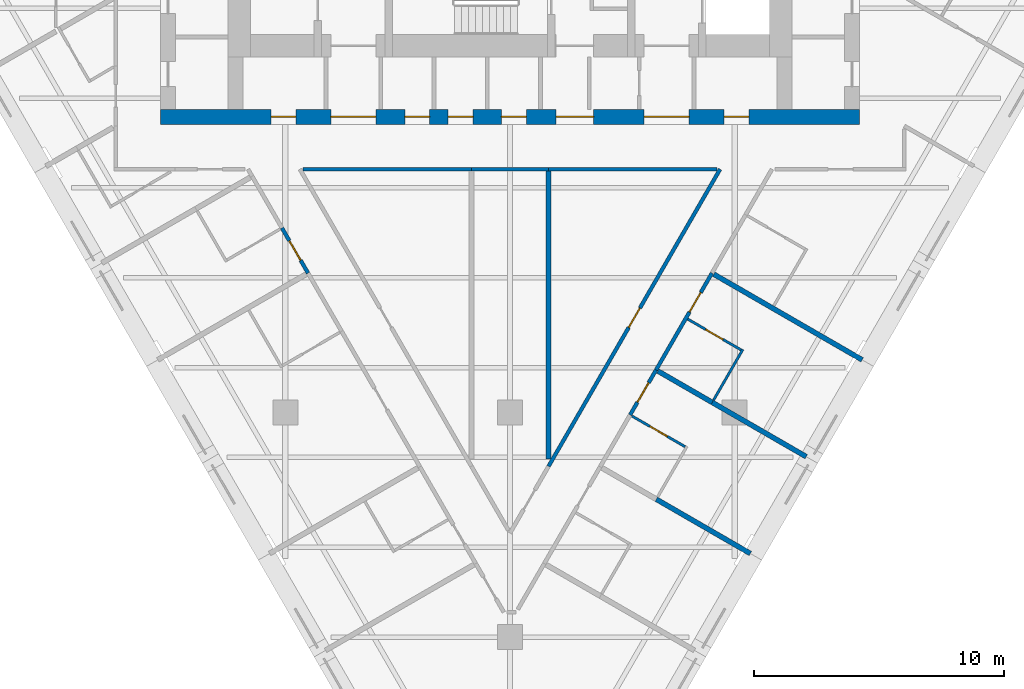
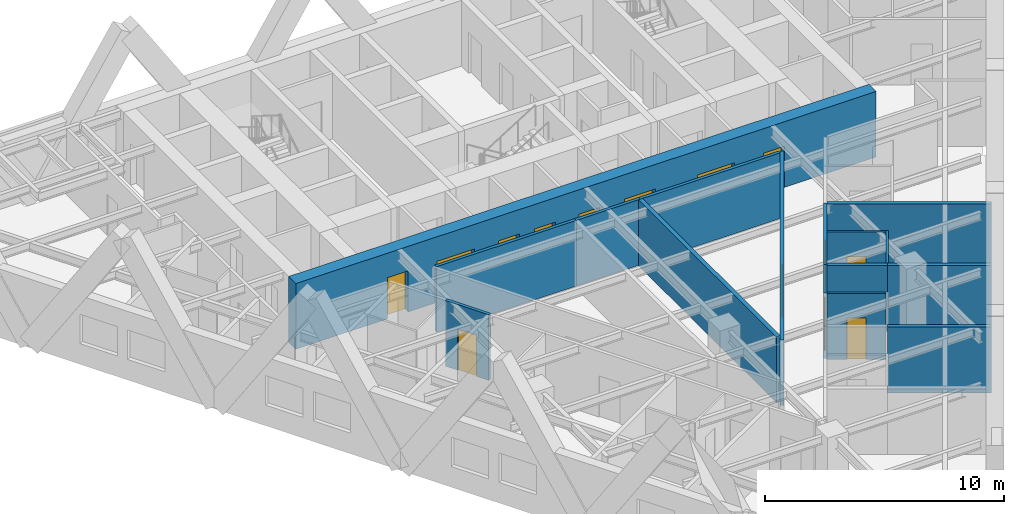
# One storey, part 4 of 9: 16 walls, 14 doors, 14 openings.
"""IFC4 building model written with IfcOpenShell, lengths in metres."""

from ifc_helpers import new_model, si_unit, direction, frame, frame_2d, origin, place, context, subcontext, project, spatial, rectangle, extrude, material, layer, layer_set, type_object, element, fill, save


model = new_model("IFC4")

# Units and contexts
model_context = context("Model", 3, precision=1e-05, world=origin(), true_north=direction((0.0, 1.0)))
body_context = subcontext(model_context, "Body", "Model", "MODEL_VIEW")
ifc_project = project(units=[si_unit("LENGTHUNIT", "METRE"), si_unit("AREAUNIT", "SQUARE_METRE"), si_unit("VOLUMEUNIT", "CUBIC_METRE"), si_unit("PLANEANGLEUNIT", "RADIAN"), si_unit("MASSUNIT", "GRAM", prefix="KILO")], contexts=[model_context])

# Site, building, storey
site_placement = place(None, origin())
site = spatial("IfcSite", under=ifc_project, at=site_placement, CompositionType="ELEMENT")
building_placement = place(site_placement, origin())
building = spatial("IfcBuilding", under=site, at=building_placement, Name="Aloe Facet Convention Tower", CompositionType="ELEMENT")
storey_placement = place(building_placement, frame((0.0, 0.0, 42.0)))
storey = spatial("IfcBuildingStorey", under=building, at=storey_placement, Name="L08", CompositionType="ELEMENT", Elevation=42.0)

# Wall, openings, doors
ifc_material_1 = material(Name="Concrete C80/95", Category="concrete")
ifc_layer_1 = layer(ifc_material_1, 0.60009765625)
ifc_layer_set_1 = layer_set([ifc_layer_1], Name="CR-W-RC600-C8095")
wall_type_1 = type_object("IfcWallType", Name="CR-W-RC600-C8095", PredefinedType="SOLIDWALL", material=ifc_layer_set_1)
wall_1_placement = place(storey_placement, frame((66.0, 119.85009765625, 0.0), z_axis=(0.0, 0.0, 1.0), x_axis=(1.0, 0.0, 0.0)))
wall_1 = element("IfcWall", 1, at=wall_1_placement, inside=storey, type_object=wall_type_1, Name="Core wall L08-003", PredefinedType="SOLIDWALL", context=body_context, shape_type="SweptSolid", body=[
    extrude(rectangle(XDim=28.0, YDim=0.60009765625, at=frame_2d((14.0, 0.0))), origin(), (0.0, 0.0, 1.0), 3.35009765625),
])
opening_1_placement = place(wall_1_placement, frame((6.824951171875, 0.0, 0.0)))
opening_1 = element("IfcOpeningElement", 2, at=opening_1_placement, cuts=wall_1, Name="Opening L08-CD16", PredefinedType="OPENING", context=body_context, shape_type="SweptSolid", body=[
    extrude(rectangle(XDim=1.800048828125, YDim=2.10009765625, at=frame_2d((0.89990234375, 1.050048828125))), frame((0.0, 0.31005859375, 0.0), z_axis=(0.0, -1.0, 0.0), x_axis=(1.0, 0.0, 0.0)), (0.0, 0.0, 1.0), 0.6201171875),
])
opening_2_placement = place(wall_1_placement, frame((15.85009765625, 0.0, 0.0)))
opening_2 = element("IfcOpeningElement", 3, at=opening_2_placement, cuts=wall_1, Name="Opening L08-CD17", PredefinedType="OPENING", context=body_context, shape_type="SweptSolid", body=[
    extrude(rectangle(XDim=1.5, YDim=2.10009765625, at=frame_2d((0.75, 1.050048828125))), frame((0.0, 0.31005859375, 0.0), z_axis=(0.0, -1.0, 0.0), x_axis=(1.0, 0.0, 0.0)), (0.0, 0.0, 1.0), 0.6201171875),
])
opening_3_placement = place(wall_1_placement, frame((19.375, 0.0, 0.0)))
opening_3 = element("IfcOpeningElement", 4, at=opening_3_placement, cuts=wall_1, Name="Opening L08-CD18", PredefinedType="OPENING", context=body_context, shape_type="SweptSolid", body=[
    extrude(rectangle(XDim=1.800048828125, YDim=2.10009765625, at=frame_2d((0.89990234375, 1.050048828125))), frame((0.0, 0.31005859375, 0.0), z_axis=(0.0, -1.0, 0.0), x_axis=(1.0, 0.0, 0.0)), (0.0, 0.0, 1.0), 0.6201171875),
])
opening_4_placement = place(wall_1_placement, frame((4.425048828125, 0.0, 0.0)))
opening_4 = element("IfcOpeningElement", 5, at=opening_4_placement, cuts=wall_1, Name="Opening L08-CD23", PredefinedType="OPENING", context=body_context, shape_type="SweptSolid", body=[
    extrude(rectangle(XDim=1.0, YDim=2.10009765625, at=frame_2d((0.5, 1.050048828125))), frame((0.0, 0.31005859375, 0.0), z_axis=(0.0, -1.0, 0.0), x_axis=(1.0, 0.0, 0.0)), (0.0, 0.0, 1.0), 0.6201171875),
])
opening_5_placement = place(wall_1_placement, frame((9.783203125, 0.0, 0.0)))
opening_5 = element("IfcOpeningElement", 6, at=opening_5_placement, cuts=wall_1, Name="Opening L08-CD24", PredefinedType="OPENING", context=body_context, shape_type="SweptSolid", body=[
    extrude(rectangle(XDim=1.0, YDim=2.10009765625, at=frame_2d((0.5, 1.050048828125))), frame((0.0, 0.31005859375, 0.0), z_axis=(0.0, -1.0, 0.0), x_axis=(1.0, 0.0, 0.0)), (0.0, 0.0, 1.0), 0.6201171875),
])
opening_6_placement = place(wall_1_placement, frame((11.52490234375, 0.0, 0.0)))
opening_6 = element("IfcOpeningElement", 7, at=opening_6_placement, cuts=wall_1, Name="Opening L08-CD25", PredefinedType="OPENING", context=body_context, shape_type="SweptSolid", body=[
    extrude(rectangle(XDim=1.0, YDim=2.10009765625, at=frame_2d((0.5, 1.050048828125))), frame((0.0, 0.31005859375, 0.0), z_axis=(0.0, -1.0, 0.0), x_axis=(1.0, 0.0, 0.0)), (0.0, 0.0, 1.0), 0.6201171875),
])
opening_7_placement = place(wall_1_placement, frame((13.658203125, 0.0, 0.0)))
opening_7 = element("IfcOpeningElement", 8, at=opening_7_placement, cuts=wall_1, Name="Opening L08-CD26", PredefinedType="OPENING", context=body_context, shape_type="SweptSolid", body=[
    extrude(rectangle(XDim=1.0, YDim=2.10009765625, at=frame_2d((0.5, 1.050048828125))), frame((0.0, 0.31005859375, 0.0), z_axis=(0.0, -1.0, 0.0), x_axis=(1.0, 0.0, 0.0)), (0.0, 0.0, 1.0), 0.6201171875),
])
opening_8_placement = place(wall_1_placement, frame((22.574951171875, 0.0, 0.0)))
opening_8 = element("IfcOpeningElement", 9, at=opening_8_placement, cuts=wall_1, Name="Opening L08-CD28", PredefinedType="OPENING", context=body_context, shape_type="SweptSolid", body=[
    extrude(rectangle(XDim=1.0, YDim=2.10009765625, at=frame_2d((0.5, 1.050048828125))), frame((0.0, 0.31005859375, 0.0), z_axis=(0.0, -1.0, 0.0), x_axis=(1.0, 0.0, 0.0)), (0.0, 0.0, 1.0), 0.6201171875),
])
ifc_material_2 = material(Name="Steel fire-resisting door set FD60", Category="steel")
door_type_1 = type_object("IfcDoorType", Name="CR-D-EXIT-1500-FD60-DD", OperationType="DOUBLE_DOOR_DOUBLE_SWING", PredefinedType="DOOR", material=ifc_material_2)
door_1_placement = place(opening_2_placement, origin())
door_1 = element("IfcDoor", 10, at=door_1_placement, inside=storey, type_object=door_type_1, Name="Core door L08-CD17", OperationType="DOUBLE_DOOR_DOUBLE_SWING", OverallHeight=2.10009765625, OverallWidth=1.5, PredefinedType="DOOR", context=body_context, shape_type="SweptSolid", body=[
    extrude(rectangle(XDim=1.5, YDim=2.10009765625, at=frame_2d((0.75, 1.050048828125))), frame((0.0, 0.02490234375, 0.0), z_axis=(0.0, -1.0, 0.0), x_axis=(1.0, 0.0, 0.0)), (0.0, 0.0, 1.0), 0.050048828125),
])
fill(opening_2, door_1)
ifc_material_3 = material(Name="Steel fire-resisting door set FD60", Category="steel")
door_type_2 = type_object("IfcDoorType", Name="CR-D-EXIT-1800-FD60-DD", OperationType="DOUBLE_DOOR_DOUBLE_SWING", PredefinedType="DOOR", material=ifc_material_3)
door_2_placement = place(opening_1_placement, origin())
door_2 = element("IfcDoor", 11, at=door_2_placement, inside=storey, type_object=door_type_2, Name="Core door L08-CD16", OperationType="DOUBLE_DOOR_DOUBLE_SWING", OverallHeight=2.10009765625, OverallWidth=1.800048828125, PredefinedType="DOOR", context=body_context, shape_type="SweptSolid", body=[
    extrude(rectangle(XDim=1.800048828125, YDim=2.10009765625, at=frame_2d((0.89990234375, 1.050048828125))), frame((0.0, 0.02490234375, 0.0), z_axis=(0.0, -1.0, 0.0), x_axis=(1.0, 0.0, 0.0)), (0.0, 0.0, 1.0), 0.050048828125),
])
fill(opening_1, door_2)
door_3_placement = place(opening_3_placement, origin())
door_3 = element("IfcDoor", 12, at=door_3_placement, inside=storey, type_object=door_type_2, Name="Core door L08-CD18", OperationType="DOUBLE_DOOR_DOUBLE_SWING", OverallHeight=2.10009765625, OverallWidth=1.800048828125, PredefinedType="DOOR", context=body_context, shape_type="SweptSolid", body=[
    extrude(rectangle(XDim=1.800048828125, YDim=2.10009765625, at=frame_2d((0.89990234375, 1.050048828125))), frame((0.0, 0.02490234375, 0.0), z_axis=(0.0, -1.0, 0.0), x_axis=(1.0, 0.0, 0.0)), (0.0, 0.0, 1.0), 0.050048828125),
])
fill(opening_3, door_3)
ifc_material_4 = material(Name="Steel fire-resisting door set FD60", Category="steel")
door_type_3 = type_object("IfcDoorType", Name="CR-D-ROOM-1000-FD60-SRIGHT", OperationType="SINGLE_SWING_RIGHT", PredefinedType="DOOR", material=ifc_material_4)
door_4_placement = place(opening_4_placement, origin())
door_4 = element("IfcDoor", 13, at=door_4_placement, inside=storey, type_object=door_type_3, Name="Core door L08-CD23", OperationType="SINGLE_SWING_RIGHT", OverallHeight=2.10009765625, OverallWidth=1.0, PredefinedType="DOOR", context=body_context, shape_type="SweptSolid", body=[
    extrude(rectangle(XDim=1.0, YDim=2.10009765625, at=frame_2d((0.5, 1.050048828125))), frame((0.0, 0.02490234375, 0.0), z_axis=(0.0, -1.0, 0.0), x_axis=(1.0, 0.0, 0.0)), (0.0, 0.0, 1.0), 0.050048828125),
])
fill(opening_4, door_4)
door_5_placement = place(opening_5_placement, origin())
door_5 = element("IfcDoor", 14, at=door_5_placement, inside=storey, type_object=door_type_3, Name="Core door L08-CD24", OperationType="SINGLE_SWING_RIGHT", OverallHeight=2.10009765625, OverallWidth=1.0, PredefinedType="DOOR", context=body_context, shape_type="SweptSolid", body=[
    extrude(rectangle(XDim=1.0, YDim=2.10009765625, at=frame_2d((0.5, 1.050048828125))), frame((0.0, 0.02490234375, 0.0), z_axis=(0.0, -1.0, 0.0), x_axis=(1.0, 0.0, 0.0)), (0.0, 0.0, 1.0), 0.050048828125),
])
fill(opening_5, door_5)
door_6_placement = place(opening_6_placement, origin())
door_6 = element("IfcDoor", 15, at=door_6_placement, inside=storey, type_object=door_type_3, Name="Core door L08-CD25", OperationType="SINGLE_SWING_RIGHT", OverallHeight=2.10009765625, OverallWidth=1.0, PredefinedType="DOOR", context=body_context, shape_type="SweptSolid", body=[
    extrude(rectangle(XDim=1.0, YDim=2.10009765625, at=frame_2d((0.5, 1.050048828125))), frame((0.0, 0.02490234375, 0.0), z_axis=(0.0, -1.0, 0.0), x_axis=(1.0, 0.0, 0.0)), (0.0, 0.0, 1.0), 0.050048828125),
])
fill(opening_6, door_6)
door_7_placement = place(opening_7_placement, origin())
door_7 = element("IfcDoor", 16, at=door_7_placement, inside=storey, type_object=door_type_3, Name="Core door L08-CD26", OperationType="SINGLE_SWING_RIGHT", OverallHeight=2.10009765625, OverallWidth=1.0, PredefinedType="DOOR", context=body_context, shape_type="SweptSolid", body=[
    extrude(rectangle(XDim=1.0, YDim=2.10009765625, at=frame_2d((0.5, 1.050048828125))), frame((0.0, 0.02490234375, 0.0), z_axis=(0.0, -1.0, 0.0), x_axis=(1.0, 0.0, 0.0)), (0.0, 0.0, 1.0), 0.050048828125),
])
fill(opening_7, door_7)
door_8_placement = place(opening_8_placement, origin())
door_8 = element("IfcDoor", 17, at=door_8_placement, inside=storey, type_object=door_type_3, Name="Core door L08-CD28", OperationType="SINGLE_SWING_RIGHT", OverallHeight=2.10009765625, OverallWidth=1.0, PredefinedType="DOOR", context=body_context, shape_type="SweptSolid", body=[
    extrude(rectangle(XDim=1.0, YDim=2.10009765625, at=frame_2d((0.5, 1.050048828125))), frame((0.0, 0.02490234375, 0.0), z_axis=(0.0, -1.0, 0.0), x_axis=(1.0, 0.0, 0.0)), (0.0, 0.0, 1.0), 0.050048828125),
])
fill(opening_8, door_8)

# Wall, opening, door
ifc_material_5 = material(Name="Gypsum board partition on steel studs", Category="steel")
ifc_layer_2 = layer(ifc_material_5, 0.14990234375)
ifc_layer_set_2 = layer_set([ifc_layer_2], Name="IN-W-CORR")
wall_type_2 = type_object("IfcWallType", Name="IN-W-CORR", PredefinedType="PARTITIONING", material=ifc_layer_set_2)
wall_2_placement = place(storey_placement, frame((81.544921875, 105.846435546875, 0.0), z_axis=(0.0, 0.0, 1.0), x_axis=(0.500001770766, 0.86602438143, 0.0)))
wall_2 = element("IfcWall", 18, at=wall_2_placement, inside=storey, type_object=wall_type_2, Name="Partition L08-W029", PredefinedType="PARTITIONING", context=body_context, shape_type="SweptSolid", body=[
    extrude(rectangle(XDim=13.7451171875, YDim=0.14990234375, at=frame_2d((6.87255859375, 0.0))), origin(), (0.0, 0.0, 1.0), 3.35009765625),
])
opening_9_placement = place(wall_2_placement, frame((6.42236328125, 0.0, 0.0)))
opening_9 = element("IfcOpeningElement", 19, at=opening_9_placement, cuts=wall_2, Name="Opening L08-016", PredefinedType="OPENING", context=body_context, shape_type="SweptSolid", body=[
    extrude(rectangle(XDim=0.89990234375, YDim=2.10009765625, at=frame_2d((0.449951171875, 1.050048828125))), frame((0.0, 0.0849609375, 0.0), z_axis=(0.0, -1.0, 0.0), x_axis=(1.0, 0.0, 0.0)), (0.0, 0.0, 1.0), 0.169921875),
])
ifc_material_6 = material(Name="Hardwood flush door FD30S", Category="wood")
door_type_4 = type_object("IfcDoorType", Name="IN-D-GUEST", OperationType="SINGLE_SWING_LEFT", PredefinedType="DOOR", material=ifc_material_6)
door_9_placement = place(opening_9_placement, origin())
door_9 = element("IfcDoor", 20, at=door_9_placement, inside=storey, type_object=door_type_4, Name="Door L08-016", OperationType="SINGLE_SWING_LEFT", OverallHeight=2.10009765625, OverallWidth=0.89990234375, PredefinedType="DOOR", context=body_context, shape_type="SweptSolid", body=[
    extrude(rectangle(XDim=0.89990234375, YDim=2.10009765625, at=frame_2d((0.449951171875, 1.050048828125))), frame((0.0, 0.02490234375, 0.0), z_axis=(0.0, -1.0, 0.0), x_axis=(1.0, 0.0, 0.0)), (0.0, 0.0, 1.0), 0.050048828125),
])
fill(opening_9, door_9)

wall_3_placement = place(storey_placement, frame((84.8115234375, 107.904052734375, 0.0), z_axis=(0.0, 0.0, 1.0), x_axis=(0.499888406853, 0.866089822532, 0.0)))
wall_3 = element("IfcWall", 21, at=wall_3_placement, inside=storey, type_object=wall_type_2, Name="Partition L08-W034", PredefinedType="PARTITIONING", context=body_context, shape_type="SweptSolid", body=[
    extrude(rectangle(XDim=2.080078125, YDim=0.14990234375, at=frame_2d((1.0400390625, 0.0))), origin(), (0.0, 0.0, 1.0), 3.35009765625),
])
opening_10_placement = place(wall_3_placement, frame((0.590087890625, 0.0, 0.0)))
opening_10 = element("IfcOpeningElement", 22, at=opening_10_placement, cuts=wall_3, Name="Opening L08-008", PredefinedType="OPENING", context=body_context, shape_type="SweptSolid", body=[
    extrude(rectangle(XDim=0.89990234375, YDim=2.10009765625, at=frame_2d((0.449951171875, 1.050048828125))), frame((0.0, 0.0849609375, 0.0), z_axis=(0.0, -1.0, 0.0), x_axis=(1.0, 0.0, 0.0)), (0.0, 0.0, 1.0), 0.169921875),
])
door_10_placement = place(opening_10_placement, origin())
door_10 = element("IfcDoor", 23, at=door_10_placement, inside=storey, type_object=door_type_4, Name="Door L08-008", OperationType="SINGLE_SWING_LEFT", OverallHeight=2.10009765625, OverallWidth=0.89990234375, PredefinedType="DOOR", context=body_context, shape_type="SweptSolid", body=[
    extrude(rectangle(XDim=0.89990234375, YDim=2.10009765625, at=frame_2d((0.449951171875, 1.050048828125))), frame((0.0, 0.02490234375, 0.0), z_axis=(0.0, -1.0, 0.0), x_axis=(1.0, 0.0, 0.0)), (0.0, 0.0, 1.0), 0.050048828125),
])
fill(opening_10, door_10)

wall_4_placement = place(storey_placement, frame((70.863525390625, 115.395263671875, 0.0), z_axis=(0.0, 0.0, 1.0), x_axis=(0.500046000743, -0.865998843614, 0.0)))
wall_4 = element("IfcWall", 24, at=wall_4_placement, inside=storey, type_object=wall_type_2, Name="Partition L08-W049", PredefinedType="PARTITIONING", context=body_context, shape_type="SweptSolid", body=[
    extrude(rectangle(XDim=2.090087890625, YDim=0.14990234375, at=frame_2d((1.044921875, 0.0))), origin(), (0.0, 0.0, 1.0), 3.35009765625),
])
opening_11_placement = place(wall_4_placement, frame((0.594970703125, 0.0, 0.0)))
opening_11 = element("IfcOpeningElement", 25, at=opening_11_placement, cuts=wall_4, Name="Opening L08-004", PredefinedType="OPENING", context=body_context, shape_type="SweptSolid", body=[
    extrude(rectangle(XDim=0.89990234375, YDim=2.10009765625, at=frame_2d((0.449951171875, 1.050048828125))), frame((0.0, 0.0849609375, 0.0), z_axis=(0.0, -1.0, 0.0), x_axis=(1.0, 0.0, 0.0)), (0.0, 0.0, 1.0), 0.169921875),
])
door_11_placement = place(opening_11_placement, origin())
door_11 = element("IfcDoor", 26, at=door_11_placement, inside=storey, type_object=door_type_4, Name="Door L08-004", OperationType="SINGLE_SWING_LEFT", OverallHeight=2.10009765625, OverallWidth=0.89990234375, PredefinedType="DOOR", context=body_context, shape_type="SweptSolid", body=[
    extrude(rectangle(XDim=0.89990234375, YDim=2.10009765625, at=frame_2d((0.449951171875, 1.050048828125))), frame((0.0, 0.02490234375, 0.0), z_axis=(0.0, -1.0, 0.0), x_axis=(1.0, 0.0, 0.0)), (0.0, 0.0, 1.0), 0.050048828125),
])
fill(opening_11, door_11)

wall_5_placement = place(storey_placement, frame((85.851318359375, 109.70556640625, 0.0), z_axis=(0.0, 0.0, 1.0), x_axis=(0.500013360201, 0.866017690131, 0.0)))
wall_5 = element("IfcWall", 27, at=wall_5_placement, inside=storey, type_object=wall_type_2, Name="Partition L08-W050", PredefinedType="PARTITIONING", context=body_context, shape_type="SweptSolid", body=[
    extrude(rectangle(XDim=4.47998046875, YDim=0.14990234375, at=frame_2d((2.239990234375, 0.0))), origin(), (0.0, 0.0, 1.0), 3.35009765625),
])
opening_12_placement = place(wall_5_placement, frame((2.68408203125, 0.0, 0.0)))
opening_12 = element("IfcOpeningElement", 28, at=opening_12_placement, cuts=wall_5, Name="Opening L08-009", PredefinedType="OPENING", context=body_context, shape_type="SweptSolid", body=[
    extrude(rectangle(XDim=0.89990234375, YDim=2.10009765625, at=frame_2d((0.449951171875, 1.050048828125))), frame((0.0, 0.0849609375, 0.0), z_axis=(0.0, -1.0, 0.0), x_axis=(1.0, 0.0, 0.0)), (0.0, 0.0, 1.0), 0.169921875),
])
door_12_placement = place(opening_12_placement, origin())
door_12 = element("IfcDoor", 29, at=door_12_placement, inside=storey, type_object=door_type_4, Name="Door L08-009", OperationType="SINGLE_SWING_LEFT", OverallHeight=2.10009765625, OverallWidth=0.89990234375, PredefinedType="DOOR", context=body_context, shape_type="SweptSolid", body=[
    extrude(rectangle(XDim=0.89990234375, YDim=2.10009765625, at=frame_2d((0.449951171875, 1.050048828125))), frame((0.0, 0.02490234375, 0.0), z_axis=(0.0, -1.0, 0.0), x_axis=(1.0, 0.0, 0.0)), (0.0, 0.0, 1.0), 0.050048828125),
])
fill(opening_12, door_12)

# Walls
wall_6_placement = place(storey_placement, frame((71.71240234375, 117.75, 0.0), z_axis=(0.0, 0.0, 1.0), x_axis=(1.0, 0.0, 0.0)))
element("IfcWall", 30, at=wall_6_placement, inside=storey, type_object=wall_type_2, Name="Partition L08-W066", PredefinedType="PARTITIONING", context=body_context, shape_type="SweptSolid", body=[
    extrude(rectangle(XDim=6.74267578125, YDim=0.14990234375, at=frame_2d((3.371337890625, 0.0))), origin(), (0.0, 0.0, 1.0), 3.35009765625),
])
wall_7_placement = place(storey_placement, frame((78.455078125, 117.75, 0.0), z_axis=(0.0, 0.0, 1.0), x_axis=(1.0, 0.0, 0.0)))
element("IfcWall", 31, at=wall_7_placement, inside=storey, type_object=wall_type_2, Name="Partition L08-W067", PredefinedType="PARTITIONING", context=body_context, shape_type="SweptSolid", body=[
    extrude(rectangle(XDim=3.08984375, YDim=0.14990234375, at=frame_2d((1.544921875, 0.0))), origin(), (0.0, 0.0, 1.0), 3.35009765625),
])
wall_8_placement = place(storey_placement, frame((81.544921875, 117.75, 0.0), z_axis=(0.0, 0.0, 1.0), x_axis=(1.0, 0.0, 0.0)))
element("IfcWall", 32, at=wall_8_placement, inside=storey, type_object=wall_type_2, Name="Partition L08-W068", PredefinedType="PARTITIONING", context=body_context, shape_type="SweptSolid", body=[
    extrude(rectangle(XDim=6.74267578125, YDim=0.14990234375, at=frame_2d((3.371337890625, 0.0))), origin(), (0.0, 0.0, 1.0), 3.35009765625),
])

# Wall, opening, door
ifc_material_7 = material(Name="Gypsum board partition on steel studs", Category="steel")
ifc_layer_3 = layer(ifc_material_7, 0.10009765625)
ifc_layer_set_3 = layer_set([ifc_layer_3], Name="IN-W-PART")
wall_type_3 = type_object("IfcWallType", Name="IN-W-PART", PredefinedType="PARTITIONING", material=ifc_layer_set_3)
wall_9_placement = place(storey_placement, frame((84.885009765625, 107.861572265625, 0.0), z_axis=(0.0, 0.0, 1.0), x_axis=(0.866040446274, -0.499973944738, 0.0)))
wall_9 = element("IfcWall", 33, at=wall_9_placement, inside=storey, type_object=wall_type_3, Name="Partition L08-W032", PredefinedType="PARTITIONING", context=body_context, shape_type="SweptSolid", body=[
    extrude(rectangle(XDim=2.465087890625, YDim=0.10009765625, at=frame_2d((1.232421875, 0.0))), origin(), (0.0, 0.0, 1.0), 3.35009765625),
])
opening_13_placement = place(wall_9_placement, frame((0.83251953125, 0.0, 0.0)))
opening_13 = element("IfcOpeningElement", 34, at=opening_13_placement, cuts=wall_9, Name="Opening L08-024", PredefinedType="OPENING", context=body_context, shape_type="SweptSolid", body=[
    extrude(rectangle(XDim=0.800048828125, YDim=2.10009765625, at=frame_2d((0.39990234375, 1.050048828125))), frame((0.0, 0.06005859375, 0.0), z_axis=(0.0, -1.0, 0.0), x_axis=(1.0, 0.0, 0.0)), (0.0, 0.0, 1.0), 0.1201171875),
])
ifc_material_8 = material(Name="Timber flush door", Category="wood")
door_type_5 = type_object("IfcDoorType", Name="IN-D-BATH", OperationType="SINGLE_SWING_LEFT", PredefinedType="DOOR", material=ifc_material_8)
door_13_placement = place(opening_13_placement, origin())
door_13 = element("IfcDoor", 35, at=door_13_placement, inside=storey, type_object=door_type_5, Name="Door L08-024", OperationType="SINGLE_SWING_LEFT", OverallHeight=2.10009765625, OverallWidth=0.800048828125, PredefinedType="DOOR", context=body_context, shape_type="SweptSolid", body=[
    extrude(rectangle(XDim=0.800048828125, YDim=2.10009765625, at=frame_2d((0.39990234375, 1.050048828125))), frame((0.0, 0.02490234375, 0.0), z_axis=(0.0, -1.0, 0.0), x_axis=(1.0, 0.0, 0.0)), (0.0, 0.0, 1.0), 0.050048828125),
])
fill(opening_13, door_13)

# Wall
wall_10_placement = place(storey_placement, frame((88.157958984375, 108.500732421875, 0.0), z_axis=(0.0, 0.0, 1.0), x_axis=(0.500032503492, 0.866006637072, 0.0)))
element("IfcWall", 36, at=wall_10_placement, inside=storey, type_object=wall_type_3, Name="Partition L08-W040", PredefinedType="PARTITIONING", context=body_context, shape_type="SweptSolid", body=[
    extrude(rectangle(XDim=2.340087890625, YDim=0.10009765625, at=frame_2d((1.169921875, 0.0))), origin(), (0.0, 0.0, 1.0), 3.35009765625),
])

# Wall, opening, door
wall_11_placement = place(storey_placement, frame((87.116455078125, 111.746337890625, 0.0), z_axis=(0.0, 0.0, 1.0), x_axis=(0.86604923931, -0.499958713387, 0.0)))
wall_11 = element("IfcWall", 37, at=wall_11_placement, inside=storey, type_object=wall_type_3, Name="Partition L08-W042", PredefinedType="PARTITIONING", context=body_context, shape_type="SweptSolid", body=[
    extrude(rectangle(XDim=2.474853515625, YDim=0.10009765625, at=frame_2d((1.2373046875, 0.0))), origin(), (0.0, 0.0, 1.0), 3.35009765625),
])
opening_14_placement = place(wall_11_placement, frame((0.83740234375, 0.0, 0.0)))
opening_14 = element("IfcOpeningElement", 38, at=opening_14_placement, cuts=wall_11, Name="Opening L08-025", PredefinedType="OPENING", context=body_context, shape_type="SweptSolid", body=[
    extrude(rectangle(XDim=0.800048828125, YDim=2.10009765625, at=frame_2d((0.39990234375, 1.050048828125))), frame((0.0, 0.06005859375, 0.0), z_axis=(0.0, -1.0, 0.0), x_axis=(1.0, 0.0, 0.0)), (0.0, 0.0, 1.0), 0.1201171875),
])
door_14_placement = place(opening_14_placement, origin())
door_14 = element("IfcDoor", 39, at=door_14_placement, inside=storey, type_object=door_type_5, Name="Door L08-025", OperationType="SINGLE_SWING_LEFT", OverallHeight=2.10009765625, OverallWidth=0.800048828125, PredefinedType="DOOR", context=body_context, shape_type="SweptSolid", body=[
    extrude(rectangle(XDim=0.800048828125, YDim=2.10009765625, at=frame_2d((0.39990234375, 1.050048828125))), frame((0.0, 0.02490234375, 0.0), z_axis=(0.0, -1.0, 0.0), x_axis=(1.0, 0.0, 0.0)), (0.0, 0.0, 1.0), 0.050048828125),
])
fill(opening_14, door_14)

# Walls
ifc_material_9 = material(Name="Gypsum board partition on steel studs", Category="steel")
ifc_layer_4 = layer(ifc_material_9, 0.199951171875)
ifc_layer_set_4 = layer_set([ifc_layer_4], Name="IN-W-PARTY")
wall_type_4 = type_object("IfcWallType", Name="IN-W-PARTY", PredefinedType="PARTITIONING", material=ifc_layer_set_4)
wall_12_placement = place(storey_placement, frame((85.863037109375, 104.525634765625, 0.0), z_axis=(0.0, 0.0, 1.0), x_axis=(0.866027639635, -0.499996127374, 0.0)))
element("IfcWall", 40, at=wall_12_placement, inside=storey, type_object=wall_type_4, Name="Partition L08-W011", PredefinedType="PARTITIONING", context=body_context, shape_type="SweptSolid", body=[
    extrude(rectangle(XDim=4.35009765625, YDim=0.199951171875, at=frame_2d((2.175048828125, 0.0))), origin(), (0.0, 0.0, 1.0), 3.35009765625),
])
wall_13_placement = place(storey_placement, frame((81.544921875, 106.1416015625, 0.0), z_axis=(0.0, 0.0, 1.0), x_axis=(0.0, 1.0, 0.0)))
element("IfcWall", 41, at=wall_13_placement, inside=storey, type_object=wall_type_4, Name="Partition L08-W028", PredefinedType="PARTITIONING", context=body_context, shape_type="SweptSolid", body=[
    extrude(rectangle(XDim=11.533447265625, YDim=0.199951171875, at=frame_2d((5.7666015625, 0.0))), origin(), (0.0, 0.0, 1.0), 3.35009765625),
])
wall_14_placement = place(storey_placement, frame((88.10302734375, 108.405517578125, 0.0), z_axis=(0.0, 0.0, 1.0), x_axis=(0.866027639635, -0.499996127374, 0.0)))
element("IfcWall", 42, at=wall_14_placement, inside=storey, type_object=wall_type_4, Name="Partition L08-W030", PredefinedType="PARTITIONING", context=body_context, shape_type="SweptSolid", body=[
    extrude(rectangle(XDim=4.35009765625, YDim=0.199951171875, at=frame_2d((2.175048828125, 0.0))), origin(), (0.0, 0.0, 1.0), 3.35009765625),
])
wall_15_placement = place(storey_placement, frame((85.925048828125, 109.6630859375, 0.0), z_axis=(0.0, 0.0, 1.0), x_axis=(0.866006140796, -0.500033362991, 0.0)))
element("IfcWall", 43, at=wall_15_placement, inside=storey, type_object=wall_type_4, Name="Partition L08-W033", PredefinedType="PARTITIONING", context=body_context, shape_type="SweptSolid", body=[
    extrude(rectangle(XDim=2.514892578125, YDim=0.199951171875, at=frame_2d((1.25732421875, 0.0))), origin(), (0.0, 0.0, 1.0), 3.35009765625),
])
wall_16_placement = place(storey_placement, frame((88.1650390625, 113.542724609375, 0.0), z_axis=(0.0, 0.0, 1.0), x_axis=(0.86603516302, -0.499983096127, 0.0)))
element("IfcWall", 44, at=wall_16_placement, inside=storey, type_object=wall_type_4, Name="Partition L08-W039", PredefinedType="PARTITIONING", context=body_context, shape_type="SweptSolid", body=[
    extrude(rectangle(XDim=6.864990234375, YDim=0.199951171875, at=frame_2d((3.4326171875, 0.0))), origin(), (0.0, 0.0, 1.0), 3.35009765625),
])

save(model, "model.ifc")
